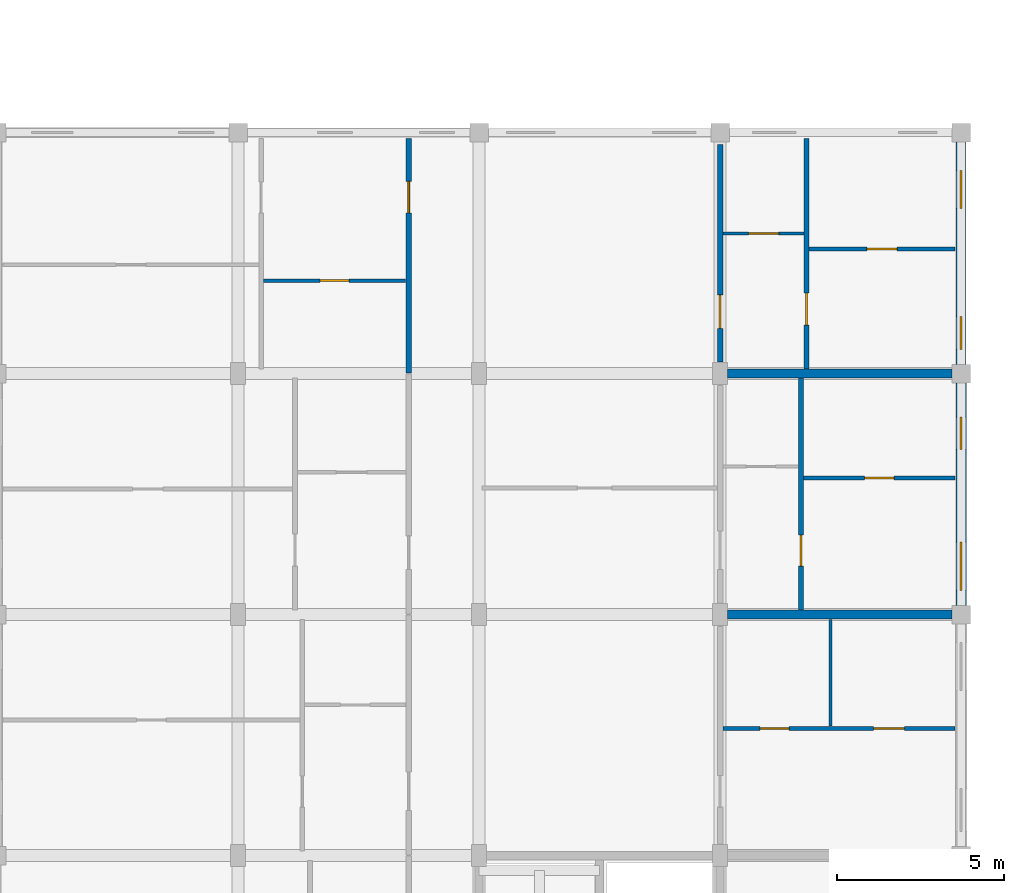
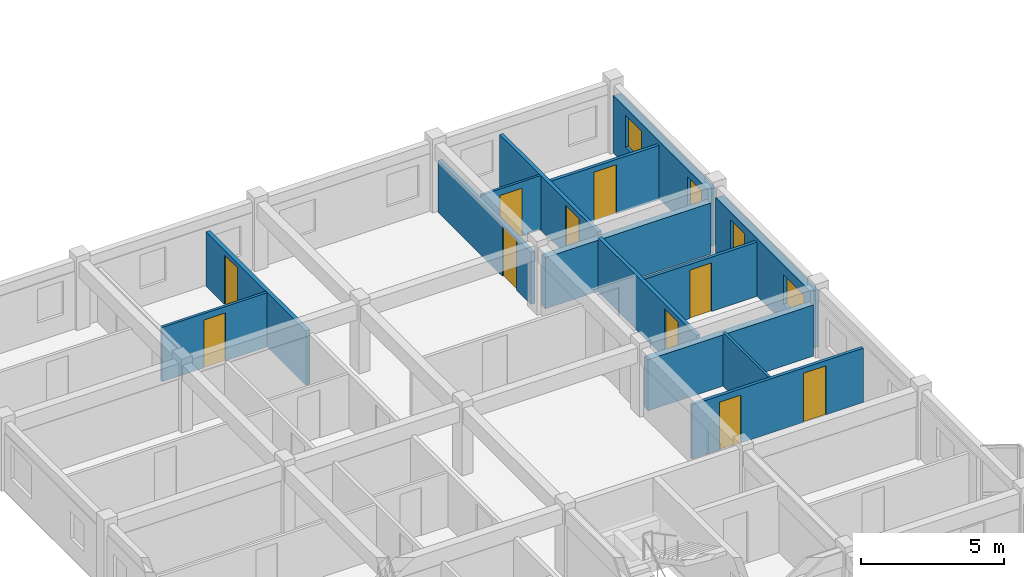
# One storey, part 64 of 77: 14 walls, 10 doors, 4 windows, 14 openings.
"""IFC4 building model written with IfcOpenShell, lengths in metres."""

from ifc_helpers import new_model, si_unit, direction, frame, frame_2d, origin, place, context, subcontext, project, spatial, rectangle, extrude, material, layer, layer_set, type_object, element, fill, save


model = new_model("IFC4")

# Units and contexts
model_context = context("Model", 3, precision=1e-05, world=origin(), true_north=direction((0.0, 1.0)))
body_context = subcontext(model_context, "Body", "Model", "MODEL_VIEW")
ifc_project = project(units=[si_unit("LENGTHUNIT", "METRE"), si_unit("AREAUNIT", "SQUARE_METRE"), si_unit("VOLUMEUNIT", "CUBIC_METRE"), si_unit("PLANEANGLEUNIT", "RADIAN"), si_unit("MASSUNIT", "GRAM", prefix="KILO"), si_unit("THERMODYNAMICTEMPERATUREUNIT", "KELVIN"), si_unit("POWERUNIT", "WATT")], contexts=[model_context])

# Site, building, storey
site_placement = place(None, origin())
site = spatial("IfcSite", under=ifc_project, at=site_placement, CompositionType="ELEMENT")
building_placement = place(site_placement, origin())
building = spatial("IfcBuilding", under=site, at=building_placement, Name="Tavuni Mirador Residences", CompositionType="ELEMENT")
storey_placement = place(building_placement, frame((0.0, 0.0, 10.800048828125)))
storey = spatial("IfcBuildingStorey", under=building, at=storey_placement, Name="L03", CompositionType="ELEMENT", Elevation=10.800048828125)

# Wall, opening, door
ifc_material_1 = material(Name="Precast concrete C40/50", Category="concrete")
ifc_layer_1 = layer(ifc_material_1, 0.1650390625, Name="Precast concrete C40/50", Category="concrete")
ifc_layer_set_1 = layer_set([ifc_layer_1], Name="Precast concrete C40/50")
wall_type_1 = type_object("IfcWallType", Name="WT-CORR165", PredefinedType="PARTITIONING", material=ifc_layer_set_1)
wall_1_placement = place(storey_placement, frame((102.300048828125, 129.6201171875, 0.0), z_axis=(0.0, 0.0, 1.0), x_axis=(0.0, 1.0, 0.0)))
wall_1 = element("IfcWall", 1, at=wall_1_placement, inside=storey, type_object=wall_type_1, Name="CORW-BLK-D-L03-0-06", PredefinedType="PARTITIONING", context=body_context, shape_type="SweptSolid", body=[
    extrude(rectangle(XDim=7.0048828125, YDim=0.1650390625, at=frame_2d((3.50244140625, 0.0))), origin(), (0.0, 0.0, 1.0), 2.324951171875),
])
opening_1_placement = place(wall_1_placement, frame((4.780029296875, 0.0, 0.0)))
opening_1 = element("IfcOpeningElement", 2, at=opening_1_placement, cuts=wall_1, Name="Opening D-19", PredefinedType="OPENING", context=body_context, shape_type="SweptSolid", body=[
    extrude(rectangle(XDim=0.93994140625, YDim=2.1201171875, at=frame_2d((0.469970703125, 1.06005859375))), frame((0.0, 0.092529296875, 0.0), z_axis=(0.0, -1.0, 0.0), x_axis=(1.0, 0.0, 0.0)), (0.0, 0.0, 1.0), 0.18505859375),
])
ifc_material_2 = material(Name="Solid core iroko timber", Category="wood")
door_type_1 = type_object("IfcDoorType", Name="DT-FD60-940", OperationType="NOTDEFINED", PredefinedType="DOOR", material=ifc_material_2)
door_1_placement = place(opening_1_placement, origin())
door_1 = element("IfcDoor", 3, at=door_1_placement, inside=storey, type_object=door_type_1, Name="DR-2851", OperationType="SINGLE_SWING_RIGHT", OverallHeight=2.1201171875, OverallWidth=0.93994140625, PredefinedType="DOOR", context=body_context, shape_type="SweptSolid", body=[
    extrude(rectangle(XDim=0.93994140625, YDim=2.1201171875, at=frame_2d((0.469970703125, 1.06005859375))), frame((0.0, 0.02490234375, 0.0), z_axis=(0.0, -1.0, 0.0), x_axis=(1.0, 0.0, 0.0)), (0.0, 0.0, 1.0), 0.050048828125),
])
fill(opening_1, door_1)

wall_2_placement = place(storey_placement, frame((111.60009765625, 129.949951171875, 0.0), z_axis=(0.0, 0.0, 1.0), x_axis=(0.0, 1.0, 0.0)))
wall_2 = element("IfcWall", 4, at=wall_2_placement, inside=storey, type_object=wall_type_1, Name="CORW-BLK-D-L03-1-06", PredefinedType="PARTITIONING", context=body_context, shape_type="SweptSolid", body=[
    extrude(rectangle(XDim=6.5, YDim=0.1650390625, at=frame_2d((3.25, 0.0))), origin(), (0.0, 0.0, 1.0), 2.239990234375),
])
opening_2_placement = place(wall_2_placement, frame((1.0, 0.0, 0.0)))
opening_2 = element("IfcOpeningElement", 5, at=opening_2_placement, cuts=wall_2, Name="Opening D-03", PredefinedType="OPENING", context=body_context, shape_type="SweptSolid", body=[
    extrude(rectangle(XDim=1.0, YDim=2.14990234375, at=frame_2d((0.5, 1.074951171875))), frame((0.0, 0.092529296875, 0.0), z_axis=(0.0, -1.0, 0.0), x_axis=(1.0, 0.0, 0.0)), (0.0, 0.0, 1.0), 0.18505859375),
])
door_type_2 = type_object("IfcDoorType", Name="DT-FD60-1000", OperationType="NOTDEFINED", PredefinedType="DOOR", material=ifc_material_2)
door_2_placement = place(opening_2_placement, origin())
door_2 = element("IfcDoor", 6, at=door_2_placement, inside=storey, type_object=door_type_2, Name="DR-2856", OperationType="SINGLE_SWING_LEFT", OverallHeight=2.14990234375, OverallWidth=1.0, PredefinedType="DOOR", context=body_context, shape_type="SweptSolid", body=[
    extrude(rectangle(XDim=1.0, YDim=2.14990234375, at=frame_2d((0.5, 1.074951171875))), frame((0.0, 0.02490234375, 0.0), z_axis=(0.0, -1.0, 0.0), x_axis=(1.0, 0.0, 0.0)), (0.0, 0.0, 1.0), 0.050048828125),
])
fill(opening_2, door_2)

# Wall, openings, windows
ifc_material_3 = material(Name="Sgraffito lime-rendered precast concrete C40/50", Category="concrete")
ifc_layer_2 = layer(ifc_material_3, 0.304931640625, Name="Sgraffito lime-rendered precast concrete C40/50", Category="concrete")
ifc_layer_set_2 = layer_set([ifc_layer_2], Name="Sgraffito lime-rendered precast concrete C40/50")
wall_type_2 = type_object("IfcWallType", Name="WT-EXT-PC305", PredefinedType="SOLIDWALL", material=ifc_layer_set_2)
wall_3_placement = place(storey_placement, frame((118.800048828125, 129.875, 0.0), z_axis=(0.0, 0.0, 1.0), x_axis=(0.0, 1.0, 0.0)))
wall_3 = element("IfcWall", 7, at=wall_3_placement, inside=storey, type_object=wall_type_2, Name="EW-BLK-D-L03-E06", PredefinedType="SOLIDWALL", context=body_context, shape_type="SweptSolid", body=[
    extrude(rectangle(XDim=6.64990234375, YDim=0.304931640625, at=frame_2d((3.324951171875, 0.0))), origin(), (0.0, 0.0, 1.0), 2.4599609375),
])
opening_3_placement = place(wall_3_placement, frame((0.449951171875, 0.0, 0.780029296875)))
opening_3 = element("IfcOpeningElement", 8, at=opening_3_placement, cuts=wall_3, Name="Opening WN-18", PredefinedType="OPENING", context=body_context, shape_type="SweptSolid", body=[
    extrude(rectangle(XDim=0.97998046875, YDim=1.360107421875, at=frame_2d((0.489990234375, 0.68017578125))), frame((0.0, 0.16259765625, 0.0), z_axis=(0.0, -1.0, 0.0), x_axis=(1.0, 0.0, 0.0)), (0.0, 0.0, 1.0), 0.324951171875),
])
opening_4_placement = place(wall_3_placement, frame((4.64990234375, 0.0, 0.780029296875)))
opening_4 = element("IfcOpeningElement", 9, at=opening_4_placement, cuts=wall_3, Name="Opening WN-20", PredefinedType="OPENING", context=body_context, shape_type="SweptSolid", body=[
    extrude(rectangle(XDim=1.139892578125, YDim=1.360107421875, at=frame_2d((0.56982421875, 0.68017578125))), frame((0.0, 0.16259765625, 0.0), z_axis=(0.0, -1.0, 0.0), x_axis=(1.0, 0.0, 0.0)), (0.0, 0.0, 1.0), 0.324951171875),
])
ifc_material_4 = material(Name="Laminated solar-control glass", Category="glass")
window_type_1 = type_object("IfcWindowType", Name="WNT-18", PartitioningType="SINGLE_PANEL", PredefinedType="WINDOW", material=ifc_material_4)
window_1_placement = place(opening_3_placement, origin())
window_1 = element("IfcWindow", 10, at=window_1_placement, inside=storey, type_object=window_type_1, Name="WIN-1544", OverallHeight=1.360107421875, OverallWidth=0.97998046875, PartitioningType="SINGLE_PANEL", PredefinedType="WINDOW", context=body_context, shape_type="SweptSolid", body=[
    extrude(rectangle(XDim=0.97998046875, YDim=1.360107421875, at=frame_2d((0.489990234375, 0.68017578125))), frame((0.0, 0.030029296875, 0.0), z_axis=(0.0, -1.0, 0.0), x_axis=(1.0, 0.0, 0.0)), (0.0, 0.0, 1.0), 0.06005859375),
])
fill(opening_3, window_1)
window_type_2 = type_object("IfcWindowType", Name="WNT-20", PartitioningType="SINGLE_PANEL", PredefinedType="WINDOW", material=ifc_material_4)
window_2_placement = place(opening_4_placement, origin())
window_2 = element("IfcWindow", 11, at=window_2_placement, inside=storey, type_object=window_type_2, Name="WIN-1545", OverallHeight=1.360107421875, OverallWidth=1.139892578125, PartitioningType="SINGLE_PANEL", PredefinedType="WINDOW", context=body_context, shape_type="SweptSolid", body=[
    extrude(rectangle(XDim=1.139892578125, YDim=1.360107421875, at=frame_2d((0.56982421875, 0.68017578125))), frame((0.0, 0.030029296875, 0.0), z_axis=(0.0, -1.0, 0.0), x_axis=(1.0, 0.0, 0.0)), (0.0, 0.0, 1.0), 0.06005859375),
])
fill(opening_4, window_2)

ifc_layer_3 = layer(ifc_material_3, 0.31494140625, Name="Sgraffito lime-rendered precast concrete C40/50", Category="concrete")
ifc_layer_set_3 = layer_set([ifc_layer_3], Name="Sgraffito lime-rendered precast concrete C40/50")
wall_type_3 = type_object("IfcWallType", Name="WT-EXT-PC315", PredefinedType="SOLIDWALL", material=ifc_layer_set_3)
wall_4_placement = place(storey_placement, frame((118.800048828125, 122.675048828125, 0.0), z_axis=(0.0, 0.0, 1.0), x_axis=(0.0, 1.0, 0.0)))
wall_4 = element("IfcWall", 12, at=wall_4_placement, inside=storey, type_object=wall_type_3, Name="EW-BLK-D-L03-E05", PredefinedType="SOLIDWALL", context=body_context, shape_type="SweptSolid", body=[
    extrude(rectangle(XDim=6.64990234375, YDim=0.31494140625, at=frame_2d((3.324951171875, 0.0))), origin(), (0.0, 0.0, 1.0), 2.4599609375),
])
opening_5_placement = place(wall_4_placement, frame((0.449951171875, 0.0, 0.780029296875)))
opening_5 = element("IfcOpeningElement", 13, at=opening_5_placement, cuts=wall_4, Name="Opening WN-16", PredefinedType="OPENING", context=body_context, shape_type="SweptSolid", body=[
    extrude(rectangle(XDim=1.43994140625, YDim=1.260009765625, at=frame_2d((0.719970703125, 0.6298828125))), frame((0.0, 0.16748046875, 0.0), z_axis=(0.0, -1.0, 0.0), x_axis=(1.0, 0.0, 0.0)), (0.0, 0.0, 1.0), 0.3349609375),
])
opening_6_placement = place(wall_4_placement, frame((4.64990234375, 0.0, 0.780029296875)))
opening_6 = element("IfcOpeningElement", 14, at=opening_6_placement, cuts=wall_4, Name="Opening WN-18", PredefinedType="OPENING", context=body_context, shape_type="SweptSolid", body=[
    extrude(rectangle(XDim=0.97998046875, YDim=1.360107421875, at=frame_2d((0.489990234375, 0.68017578125))), frame((0.0, 0.16748046875, 0.0), z_axis=(0.0, -1.0, 0.0), x_axis=(1.0, 0.0, 0.0)), (0.0, 0.0, 1.0), 0.3349609375),
])
window_type_3 = type_object("IfcWindowType", Name="WNT-16", PartitioningType="SINGLE_PANEL", PredefinedType="WINDOW", material=ifc_material_4)
window_3_placement = place(opening_5_placement, origin())
window_3 = element("IfcWindow", 15, at=window_3_placement, inside=storey, type_object=window_type_3, Name="WIN-1542", OverallHeight=1.260009765625, OverallWidth=1.43994140625, PartitioningType="SINGLE_PANEL", PredefinedType="WINDOW", context=body_context, shape_type="SweptSolid", body=[
    extrude(rectangle(XDim=1.43994140625, YDim=1.260009765625, at=frame_2d((0.719970703125, 0.6298828125))), frame((0.0, 0.030029296875, 0.0), z_axis=(0.0, -1.0, 0.0), x_axis=(1.0, 0.0, 0.0)), (0.0, 0.0, 1.0), 0.06005859375),
])
fill(opening_5, window_3)
window_4_placement = place(opening_6_placement, origin())
window_4 = element("IfcWindow", 16, at=window_4_placement, inside=storey, type_object=window_type_1, Name="WIN-1543", OverallHeight=1.360107421875, OverallWidth=0.97998046875, PartitioningType="SINGLE_PANEL", PredefinedType="WINDOW", context=body_context, shape_type="SweptSolid", body=[
    extrude(rectangle(XDim=0.97998046875, YDim=1.360107421875, at=frame_2d((0.489990234375, 0.68017578125))), frame((0.0, 0.030029296875, 0.0), z_axis=(0.0, -1.0, 0.0), x_axis=(1.0, 0.0, 0.0)), (0.0, 0.0, 1.0), 0.06005859375),
])
fill(opening_6, window_4)

# Wall
ifc_material_5 = material(Name="Acoustic gypsum and concrete block partition", Category="concrete")
ifc_layer_4 = layer(ifc_material_5, 0.094970703125, Name="Acoustic gypsum and concrete block partition", Category="concrete")
ifc_layer_set_4 = layer_set([ifc_layer_4], Name="Acoustic gypsum and concrete block partition")
wall_type_4 = type_object("IfcWallType", Name="WT-PART095", PredefinedType="PARTITIONING", material=ifc_layer_set_4)
wall_5_placement = place(storey_placement, frame((114.89990234375, 119.070068359375, 0.0), z_axis=(0.0, 0.0, 1.0), x_axis=(0.0, 1.0, 0.0)))
element("IfcWall", 17, at=wall_5_placement, inside=storey, type_object=wall_type_4, Name="PW-BLK-D-L03-PF04-V", PredefinedType="PARTITIONING", context=body_context, shape_type="SweptSolid", body=[
    extrude(rectangle(XDim=3.18994140625, YDim=0.094970703125, at=frame_2d((1.594970703125, 0.0))), origin(), (0.0, 0.0, 1.0), 2.324951171875),
])

# Wall, opening, door
wall_6_placement = place(storey_placement, frame((111.68994140625, 133.780029296875, 0.0), z_axis=(0.0, 0.0, 1.0), x_axis=(1.0, 0.0, 0.0)))
wall_6 = element("IfcWall", 18, at=wall_6_placement, inside=storey, type_object=wall_type_4, Name="PW-BLK-D-L03-E06-IN1", PredefinedType="PARTITIONING", context=body_context, shape_type="SweptSolid", body=[
    extrude(rectangle(XDim=2.420166015625, YDim=0.094970703125, at=frame_2d((1.2099609375, 0.0))), origin(), (0.0, 0.0, 1.0), 2.324951171875),
])
opening_7_placement = place(wall_6_placement, frame((0.760009765625, 0.0, 0.0)))
opening_7 = element("IfcOpeningElement", 19, at=opening_7_placement, cuts=wall_6, Name="Opening D-09", PredefinedType="OPENING", context=body_context, shape_type="SweptSolid", body=[
    extrude(rectangle(XDim=0.89990234375, YDim=2.050048828125, at=frame_2d((0.449951171875, 1.02490234375))), frame((0.0, 0.0576171875, 0.0), z_axis=(0.0, -1.0, 0.0), x_axis=(1.0, 0.0, 0.0)), (0.0, 0.0, 1.0), 0.114990234375),
])
door_type_3 = type_object("IfcDoorType", Name="DT-WC900", OperationType="NOTDEFINED", PredefinedType="DOOR", material=ifc_material_2)
door_3_placement = place(opening_7_placement, origin())
door_3 = element("IfcDoor", 20, at=door_3_placement, inside=storey, type_object=door_type_3, Name="DR-4428", OperationType="SINGLE_SWING_RIGHT", OverallHeight=2.050048828125, OverallWidth=0.89990234375, PredefinedType="DOOR", context=body_context, shape_type="SweptSolid", body=[
    extrude(rectangle(XDim=0.89990234375, YDim=2.050048828125, at=frame_2d((0.449951171875, 1.02490234375))), frame((0.0, 0.02490234375, 0.0), z_axis=(0.0, -1.0, 0.0), x_axis=(1.0, 0.0, 0.0)), (0.0, 0.0, 1.0), 0.050048828125),
])
fill(opening_7, door_3)

ifc_layer_5 = layer(ifc_material_5, 0.10498046875, Name="Acoustic gypsum and concrete block partition", Category="concrete")
ifc_layer_set_5 = layer_set([ifc_layer_5], Name="Acoustic gypsum and concrete block partition")
wall_type_5 = type_object("IfcWallType", Name="WT-PART105", PredefinedType="PARTITIONING", material=ifc_layer_set_5)
wall_7_placement = place(storey_placement, frame((97.9599609375, 132.3798828125, 0.0), z_axis=(0.0, 0.0, 1.0), x_axis=(1.0, 0.0, 0.0)))
wall_7 = element("IfcWall", 21, at=wall_7_placement, inside=storey, type_object=wall_type_5, Name="PW-BLK-D-L03-W06-IN1", PredefinedType="PARTITIONING", context=body_context, shape_type="SweptSolid", body=[
    extrude(rectangle(XDim=4.25, YDim=0.10498046875, at=frame_2d((2.125, 0.0))), origin(), (0.0, 0.0, 1.0), 2.324951171875),
])
opening_8_placement = place(wall_7_placement, frame((1.68994140625, 0.0, 0.0)))
opening_8 = element("IfcOpeningElement", 22, at=opening_8_placement, cuts=wall_7, Name="Opening D-10", PredefinedType="OPENING", context=body_context, shape_type="SweptSolid", body=[
    extrude(rectangle(XDim=0.8701171875, YDim=2.050048828125, at=frame_2d((0.43505859375, 1.02490234375))), frame((0.0, 0.0625, 0.0), z_axis=(0.0, -1.0, 0.0), x_axis=(1.0, 0.0, 0.0)), (0.0, 0.0, 1.0), 0.125),
])
door_type_4 = type_object("IfcDoorType", Name="DT-WC870", OperationType="NOTDEFINED", PredefinedType="DOOR", material=ifc_material_2)
door_4_placement = place(opening_8_placement, origin())
door_4 = element("IfcDoor", 23, at=door_4_placement, inside=storey, type_object=door_type_4, Name="DR-4425", OperationType="SINGLE_SWING_LEFT", OverallHeight=2.050048828125, OverallWidth=0.8701171875, PredefinedType="DOOR", context=body_context, shape_type="SweptSolid", body=[
    extrude(rectangle(XDim=0.8701171875, YDim=2.050048828125, at=frame_2d((0.43505859375, 1.02490234375))), frame((0.0, 0.02490234375, 0.0), z_axis=(0.0, -1.0, 0.0), x_axis=(1.0, 0.0, 0.0)), (0.0, 0.0, 1.0), 0.050048828125),
])
fill(opening_8, door_4)

# Wall, openings, doors
ifc_layer_6 = layer(ifc_material_5, 0.125, Name="Acoustic gypsum and concrete block partition", Category="concrete")
ifc_layer_set_6 = layer_set([ifc_layer_6], Name="Acoustic gypsum and concrete block partition")
wall_type_6 = type_object("IfcWallType", Name="WT-PART125", PredefinedType="PARTITIONING", material=ifc_layer_set_6)
wall_8_placement = place(storey_placement, frame((111.68994140625, 119.0, 0.0), z_axis=(0.0, 0.0, 1.0), x_axis=(1.0, 0.0, 0.0)))
wall_8 = element("IfcWall", 24, at=wall_8_placement, inside=storey, type_object=wall_type_6, Name="PW-BLK-D-L03-PF04-H", PredefinedType="PARTITIONING", context=body_context, shape_type="SweptSolid", body=[
    extrude(rectangle(XDim=6.93505859375, YDim=0.125, at=frame_2d((3.467529296875, 0.0))), origin(), (0.0, 0.0, 1.0), 2.324951171875),
])
opening_9_placement = place(wall_8_placement, frame((1.10009765625, 0.0, 0.0)))
opening_9 = element("IfcOpeningElement", 25, at=opening_9_placement, cuts=wall_8, Name="Opening D-10", PredefinedType="OPENING", context=body_context, shape_type="SweptSolid", body=[
    extrude(rectangle(XDim=0.8701171875, YDim=2.050048828125, at=frame_2d((0.43505859375, 1.02490234375))), frame((0.0, 0.072509765625, 0.0), z_axis=(0.0, -1.0, 0.0), x_axis=(1.0, 0.0, 0.0)), (0.0, 0.0, 1.0), 0.14501953125),
])
opening_10_placement = place(wall_8_placement, frame((4.5, 0.0, 0.0)))
opening_10 = element("IfcOpeningElement", 26, at=opening_10_placement, cuts=wall_8, Name="Opening D-06", PredefinedType="OPENING", context=body_context, shape_type="SweptSolid", body=[
    extrude(rectangle(XDim=0.919921875, YDim=2.10009765625, at=frame_2d((0.4599609375, 1.050048828125))), frame((0.0, 0.072509765625, 0.0), z_axis=(0.0, -1.0, 0.0), x_axis=(1.0, 0.0, 0.0)), (0.0, 0.0, 1.0), 0.14501953125),
])
door_type_5 = type_object("IfcDoorType", Name="DT-INT920", OperationType="NOTDEFINED", PredefinedType="DOOR", material=ifc_material_2)
door_5_placement = place(opening_10_placement, origin())
door_5 = element("IfcDoor", 27, at=door_5_placement, inside=storey, type_object=door_type_5, Name="DR-4416", OperationType="SINGLE_SWING_RIGHT", OverallHeight=2.10009765625, OverallWidth=0.919921875, PredefinedType="DOOR", context=body_context, shape_type="SweptSolid", body=[
    extrude(rectangle(XDim=0.919921875, YDim=2.10009765625, at=frame_2d((0.4599609375, 1.050048828125))), frame((0.0, 0.02490234375, 0.0), z_axis=(0.0, -1.0, 0.0), x_axis=(1.0, 0.0, 0.0)), (0.0, 0.0, 1.0), 0.050048828125),
])
fill(opening_10, door_5)
door_6_placement = place(opening_9_placement, origin())
door_6 = element("IfcDoor", 28, at=door_6_placement, inside=storey, type_object=door_type_4, Name="DR-4415", OperationType="SINGLE_SWING_LEFT", OverallHeight=2.050048828125, OverallWidth=0.8701171875, PredefinedType="DOOR", context=body_context, shape_type="SweptSolid", body=[
    extrude(rectangle(XDim=0.8701171875, YDim=2.050048828125, at=frame_2d((0.43505859375, 1.02490234375))), frame((0.0, 0.02490234375, 0.0), z_axis=(0.0, -1.0, 0.0), x_axis=(1.0, 0.0, 0.0)), (0.0, 0.0, 1.0), 0.050048828125),
])
fill(opening_9, door_6)

# Wall, opening, door
wall_9_placement = place(storey_placement, frame((114.090087890625, 126.47998046875, 0.0), z_axis=(0.0, 0.0, 1.0), x_axis=(1.0, 0.0, 0.0)))
wall_9 = element("IfcWall", 29, at=wall_9_placement, inside=storey, type_object=wall_type_6, Name="PW-BLK-D-L03-E05-OUT", PredefinedType="PARTITIONING", context=body_context, shape_type="SweptSolid", body=[
    extrude(rectangle(XDim=4.534912109375, YDim=0.125, at=frame_2d((2.267578125, 0.0))), origin(), (0.0, 0.0, 1.0), 2.324951171875),
])
opening_11_placement = place(wall_9_placement, frame((1.827392578125, 0.0, 0.0)))
opening_11 = element("IfcOpeningElement", 30, at=opening_11_placement, cuts=wall_9, Name="Opening D-08", PredefinedType="OPENING", context=body_context, shape_type="SweptSolid", body=[
    extrude(rectangle(XDim=0.8798828125, YDim=2.080078125, at=frame_2d((0.43994140625, 1.0400390625))), frame((0.0, 0.072509765625, 0.0), z_axis=(0.0, -1.0, 0.0), x_axis=(1.0, 0.0, 0.0)), (0.0, 0.0, 1.0), 0.14501953125),
])
door_type_6 = type_object("IfcDoorType", Name="DT-BED880", OperationType="NOTDEFINED", PredefinedType="DOOR", material=ifc_material_2)
door_7_placement = place(opening_11_placement, origin())
door_7 = element("IfcDoor", 31, at=door_7_placement, inside=storey, type_object=door_type_6, Name="DR-4421", OperationType="SINGLE_SWING_RIGHT", OverallHeight=2.080078125, OverallWidth=0.8798828125, PredefinedType="DOOR", context=body_context, shape_type="SweptSolid", body=[
    extrude(rectangle(XDim=0.8798828125, YDim=2.080078125, at=frame_2d((0.43994140625, 1.0400390625))), frame((0.0, 0.02490234375, 0.0), z_axis=(0.0, -1.0, 0.0), x_axis=(1.0, 0.0, 0.0)), (0.0, 0.0, 1.0), 0.050048828125),
])
fill(opening_11, door_7)

wall_10_placement = place(storey_placement, frame((114.25, 133.320068359375, 0.0), z_axis=(0.0, 0.0, 1.0), x_axis=(1.0, 0.0, 0.0)))
wall_10 = element("IfcWall", 32, at=wall_10_placement, inside=storey, type_object=wall_type_6, Name="PW-BLK-D-L03-E06-OUT", PredefinedType="PARTITIONING", context=body_context, shape_type="SweptSolid", body=[
    extrude(rectangle(XDim=4.375, YDim=0.125, at=frame_2d((2.1875, 0.0))), origin(), (0.0, 0.0, 1.0), 2.324951171875),
])
opening_12_placement = place(wall_10_placement, frame((1.737548828125, 0.0, 0.0)))
opening_12 = element("IfcOpeningElement", 33, at=opening_12_placement, cuts=wall_10, Name="Opening D-07", PredefinedType="OPENING", context=body_context, shape_type="SweptSolid", body=[
    extrude(rectangle(XDim=0.89990234375, YDim=2.10009765625, at=frame_2d((0.449951171875, 1.050048828125))), frame((0.0, 0.072509765625, 0.0), z_axis=(0.0, -1.0, 0.0), x_axis=(1.0, 0.0, 0.0)), (0.0, 0.0, 1.0), 0.14501953125),
])
door_type_7 = type_object("IfcDoorType", Name="DT-BED900", OperationType="NOTDEFINED", PredefinedType="DOOR", material=ifc_material_2)
door_8_placement = place(opening_12_placement, origin())
door_8 = element("IfcDoor", 34, at=door_8_placement, inside=storey, type_object=door_type_7, Name="DR-4427", OperationType="SINGLE_SWING_LEFT", OverallHeight=2.10009765625, OverallWidth=0.89990234375, PredefinedType="DOOR", context=body_context, shape_type="SweptSolid", body=[
    extrude(rectangle(XDim=0.89990234375, YDim=2.10009765625, at=frame_2d((0.449951171875, 1.050048828125))), frame((0.0, 0.02490234375, 0.0), z_axis=(0.0, -1.0, 0.0), x_axis=(1.0, 0.0, 0.0)), (0.0, 0.0, 1.0), 0.050048828125),
])
fill(opening_12, door_8)

ifc_layer_7 = layer(ifc_material_5, 0.14990234375, Name="Acoustic gypsum and concrete block partition", Category="concrete")
ifc_layer_set_7 = layer_set([ifc_layer_7], Name="Acoustic gypsum and concrete block partition")
wall_type_7 = type_object("IfcWallType", Name="WT-PART150", PredefinedType="PARTITIONING", material=ifc_layer_set_7)
wall_11_placement = place(storey_placement, frame((114.02001953125, 122.5400390625, 0.0), z_axis=(0.0, 0.0, 1.0), x_axis=(0.0, 1.0, 0.0)))
wall_11 = element("IfcWall", 35, at=wall_11_placement, inside=storey, type_object=wall_type_7, Name="PW-BLK-D-L03-E05-MID", PredefinedType="PARTITIONING", context=body_context, shape_type="SweptSolid", body=[
    extrude(rectangle(XDim=6.919921875, YDim=0.14990234375, at=frame_2d((3.4599609375, 0.0))), origin(), (0.0, 0.0, 1.0), 2.324951171875),
])
opening_13_placement = place(wall_11_placement, frame((1.31005859375, 0.0, 0.0)))
opening_13 = element("IfcOpeningElement", 36, at=opening_13_placement, cuts=wall_11, Name="Opening D-06", PredefinedType="OPENING", context=body_context, shape_type="SweptSolid", body=[
    extrude(rectangle(XDim=0.919921875, YDim=2.10009765625, at=frame_2d((0.4599609375, 1.050048828125))), frame((0.0, 0.0849609375, 0.0), z_axis=(0.0, -1.0, 0.0), x_axis=(1.0, 0.0, 0.0)), (0.0, 0.0, 1.0), 0.169921875),
])
door_9_placement = place(opening_13_placement, origin())
door_9 = element("IfcDoor", 37, at=door_9_placement, inside=storey, type_object=door_type_5, Name="DR-4423", OperationType="SINGLE_SWING_RIGHT", OverallHeight=2.10009765625, OverallWidth=0.919921875, PredefinedType="DOOR", context=body_context, shape_type="SweptSolid", body=[
    extrude(rectangle(XDim=0.919921875, YDim=2.10009765625, at=frame_2d((0.4599609375, 1.050048828125))), frame((0.0, 0.02490234375, 0.0), z_axis=(0.0, -1.0, 0.0), x_axis=(1.0, 0.0, 0.0)), (0.0, 0.0, 1.0), 0.050048828125),
])
fill(opening_13, door_9)

wall_12_placement = place(storey_placement, frame((114.179931640625, 129.739990234375, 0.0), z_axis=(0.0, 0.0, 1.0), x_axis=(0.0, 1.0, 0.0)))
wall_12 = element("IfcWall", 38, at=wall_12_placement, inside=storey, type_object=wall_type_7, Name="PW-BLK-D-L03-E06-MID", PredefinedType="PARTITIONING", context=body_context, shape_type="SweptSolid", body=[
    extrude(rectangle(XDim=6.885009765625, YDim=0.14990234375, at=frame_2d((3.4423828125, 0.0))), origin(), (0.0, 0.0, 1.0), 2.324951171875),
])
opening_14_placement = place(wall_12_placement, frame((1.31005859375, 0.0, 0.0)))
opening_14 = element("IfcOpeningElement", 39, at=opening_14_placement, cuts=wall_12, Name="Opening D-05", PredefinedType="OPENING", context=body_context, shape_type="SweptSolid", body=[
    extrude(rectangle(XDim=0.949951171875, YDim=2.10009765625, at=frame_2d((0.47509765625, 1.050048828125))), frame((0.0, 0.0849609375, 0.0), z_axis=(0.0, -1.0, 0.0), x_axis=(1.0, 0.0, 0.0)), (0.0, 0.0, 1.0), 0.169921875),
])
door_type_8 = type_object("IfcDoorType", Name="DT-INT950", OperationType="NOTDEFINED", PredefinedType="DOOR", material=ifc_material_2)
door_10_placement = place(opening_14_placement, origin())
door_10 = element("IfcDoor", 40, at=door_10_placement, inside=storey, type_object=door_type_8, Name="DR-4429", OperationType="SINGLE_SWING_LEFT", OverallHeight=2.10009765625, OverallWidth=0.949951171875, PredefinedType="DOOR", context=body_context, shape_type="SweptSolid", body=[
    extrude(rectangle(XDim=0.949951171875, YDim=2.10009765625, at=frame_2d((0.47509765625, 1.050048828125))), frame((0.0, 0.02490234375, 0.0), z_axis=(0.0, -1.0, 0.0), x_axis=(1.0, 0.0, 0.0)), (0.0, 0.0, 1.0), 0.050048828125),
])
fill(opening_14, door_10)

# Walls
ifc_layer_8 = layer(ifc_material_1, 0.264892578125, Name="Precast concrete C40/50", Category="concrete")
ifc_layer_set_8 = layer_set([ifc_layer_8], Name="Precast concrete C40/50")
wall_type_8 = type_object("IfcWallType", Name="WT-XW265", PredefinedType="SOLIDWALL", material=ifc_layer_set_8)
for number, where, z_axis, x_axis, name in (
    (41, (111.824951171875, 122.39990234375, 0.0), (0.0, 0.0, 1.0), (1.0, 0.0, 0.0), "XW-BLK-D-L03-E-05"),
    (42, (111.824951171875, 129.60009765625, 0.0), (0.0, 0.0, 1.0), (1.0, 0.0, 0.0), "XW-BLK-D-L03-E-06"),
):
    element("IfcWall", number, at=place(storey_placement, frame(where, z_axis=z_axis, x_axis=x_axis)), inside=storey, type_object=wall_type_8, Name=name, PredefinedType="SOLIDWALL", context=body_context, shape_type="SweptSolid", body=[
        extrude(rectangle(XDim=6.699951171875, YDim=0.264892578125, at=frame_2d((3.35009765625, 0.0))), origin(), (0.0, 0.0, 1.0), 2.18994140625),
    ])

save(model, "model.ifc")
